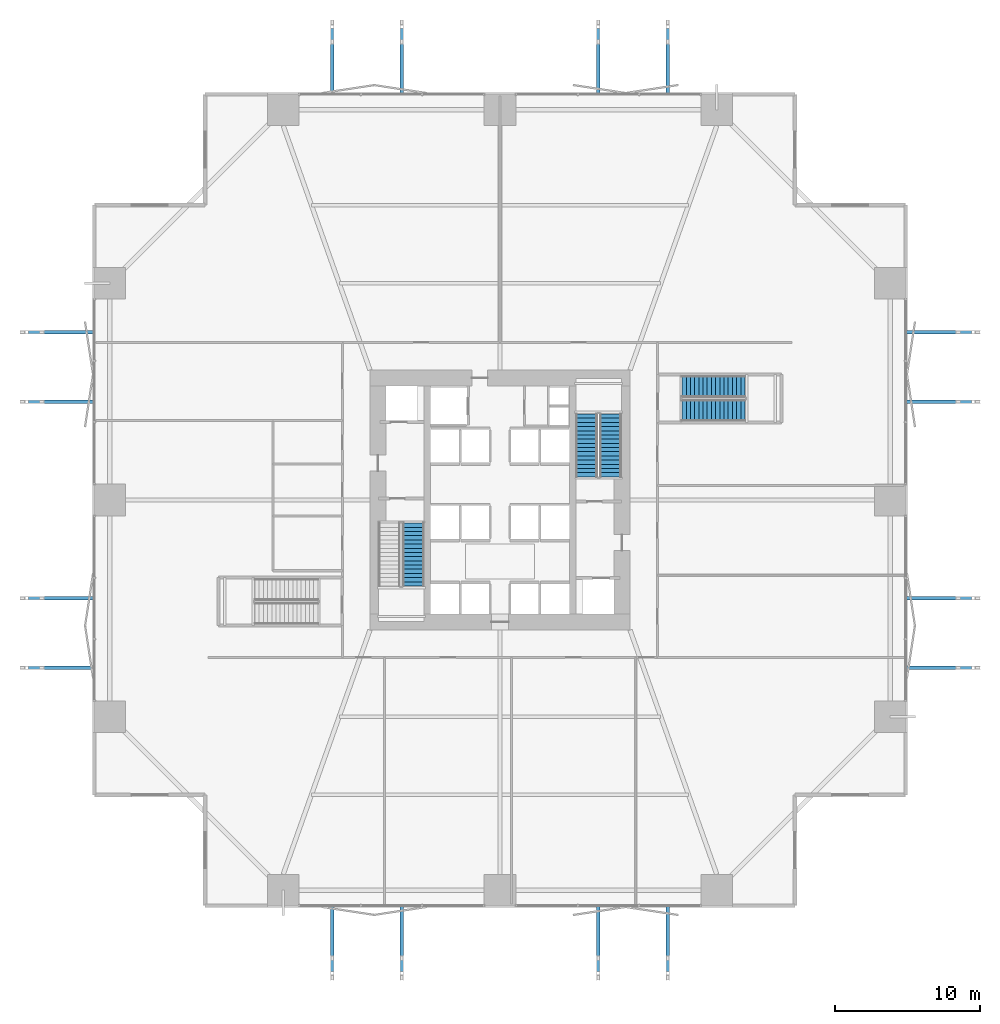
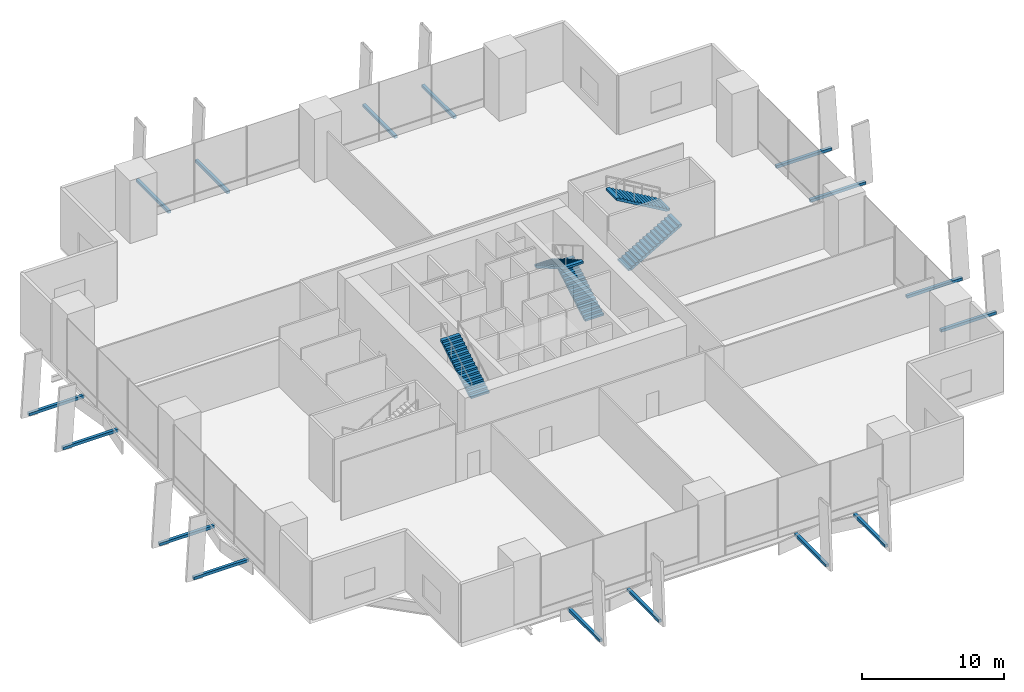
# One storey, part 22 of 24: 16 discrete accessories, 5 stair flights, 3 elements without a shape of their own.
"""IFC4 building model written with IfcOpenShell, lengths in metres."""

import ifcopenshell
import ifcopenshell.guid

model = None  # the IFC model being written
_history = None  # IfcOwnerHistory: only IFC2X3 demands one
_inside = {}  # id of a spatial element -> (the spatial element, [elements in it])
_under = {}  # id of a project, library or spatial element -> (it, [spatial elements below it])
_declared = {}  # id of a project -> (the project, [libraries it declares])
_typed = {}  # id of a type object -> (the type object, [elements of that type])
_made_of = {}  # id of a material, layer set ... -> (it, [elements and type objects made of it])


def new_model(schema):
    """Start an empty IFC model of exactly this schema.

    Asked for "IFC4X3", IfcOpenShell would pick the latest addendum, in which some entities
    have other attributes; the version numbers below select the first issue.
    IFC2X3 requires an IfcOwnerHistory on every rooted entity: one is made here for all.
    """
    global model, _history
    if schema == "IFC4X3":
        model = ifcopenshell.file(schema_version=(4, 3, 0, 0))
    else:
        model = ifcopenshell.file(schema=schema)
    _inside.clear()
    _under.clear()
    _declared.clear()
    _typed.clear()
    _made_of.clear()
    _history = None
    if model.schema == "IFC2X3":
        org = make("IfcOrganization", Name="unknown")
        user = make(
            "IfcPersonAndOrganization",
            ThePerson=make("IfcPerson", FamilyName="unknown"),
            TheOrganization=org,
        )
        app = make(
            "IfcApplication",
            ApplicationDeveloper=org,
            Version="unknown",
            ApplicationFullName="unknown",
            ApplicationIdentifier="unknown",
        )
        _history = make(
            "IfcOwnerHistory",
            OwningUser=user,
            OwningApplication=app,
            ChangeAction="ADDED",
            CreationDate=0,
        )
    return model


def make(cls, **values):
    """One entity of the class cls with the attributes given. An attribute that is None is left unset."""
    return model.create_entity(
        cls, **{name: value for name, value in values.items() if value is not None}
    )


def rooted(cls, **values):
    """An entity with a GlobalId (a new one), such as an element, a storey or a relation."""
    return make(cls, GlobalId=ifcopenshell.guid.new(), OwnerHistory=_history, **values)


def si_unit(unit_type, name, prefix=None):
    """IfcSIUnit, for example si_unit("LENGTHUNIT", "METRE", prefix="MILLI")."""
    return make("IfcSIUnit", UnitType=unit_type, Prefix=prefix, Name=name)


def assignment(units):
    """IfcUnitAssignment: the units of a project."""
    return None if units is None else make("IfcUnitAssignment", Units=units)


def point(xyz):
    """IfcCartesianPoint."""
    return None if xyz is None else make("IfcCartesianPoint", Coordinates=xyz)


def direction(xyz):
    """IfcDirection."""
    return None if xyz is None else make("IfcDirection", DirectionRatios=xyz)


def frame(location, z_axis=None, x_axis=None):
    """IfcAxis2Placement3D, a coordinate frame: its origin and axes. An axis left out is left unset."""
    return make(
        "IfcAxis2Placement3D",
        Location=point(location),
        Axis=direction(z_axis),
        RefDirection=direction(x_axis),
    )


def frame_2d(location, x_axis=None):
    """IfcAxis2Placement2D, a coordinate frame in the plane: its origin and x axis."""
    return make(
        "IfcAxis2Placement2D", Location=point(location), RefDirection=direction(x_axis)
    )


def origin():
    """The frame at (0, 0, 0) with its axes left unset."""
    return frame((0.0, 0.0, 0.0))


def origin_2d():
    """The frame at (0, 0) in the plane with its x axis left unset."""
    return frame_2d((0.0, 0.0))


def place(relative_to, where):
    """IfcLocalPlacement: puts the frame where relative to a parent placement (None: the world)."""
    return make(
        "IfcLocalPlacement", PlacementRelTo=relative_to, RelativePlacement=where
    )


def context(
    kind, dimensions, precision=None, world=None, true_north=None, identifier=None
):
    """IfcGeometricRepresentationContext, for example the 3D "Model" context."""
    return make(
        "IfcGeometricRepresentationContext",
        ContextIdentifier=identifier,
        ContextType=kind,
        CoordinateSpaceDimension=dimensions,
        Precision=precision,
        WorldCoordinateSystem=world,
        TrueNorth=true_north,
    )


def subcontext(parent, identifier, kind, view, scale=None):
    """IfcGeometricRepresentationSubContext, for example "Body" below "Model"."""
    return make(
        "IfcGeometricRepresentationSubContext",
        ContextIdentifier=identifier,
        ContextType=kind,
        ParentContext=parent,
        TargetScale=scale,
        TargetView=view,
    )


def project(units=None, contexts=None):
    """IfcProject with its units and contexts."""
    return rooted(
        "IfcProject",
        Name="project",
        RepresentationContexts=contexts,
        UnitsInContext=assignment(units),
    )


def spatial(cls, under=None, at=None, **own):
    """A site, building, storey or space (cls), placed at a placement, below another one or the project."""
    s = rooted(cls, ObjectPlacement=at, **own)
    if under is not None:
        _under.setdefault(under.id(), (under, []))[1].append(s)
    return s


def polyline(points):
    """IfcPolyline through the points."""
    return make("IfcPolyline", Points=[point(p) for p in points])


def profile(cls, at=None, kind="AREA", **sizes):
    """A parametric profile (cls). Its sizes go by their IFC names, for example OverallWidth=200.0."""
    return make(cls, ProfileType=kind, Position=at, **sizes)


def rectangle(**sizes):
    """IfcRectangleProfileDef."""
    return profile("IfcRectangleProfileDef", **sizes)


def outline(outer, holes=None, kind="AREA"):
    """IfcArbitraryClosedProfileDef: a profile drawn as a closed curve; with holes, ...WithVoids."""
    if holes is None:
        return make("IfcArbitraryClosedProfileDef", ProfileType=kind, OuterCurve=outer)
    return make(
        "IfcArbitraryProfileDefWithVoids",
        ProfileType=kind,
        OuterCurve=outer,
        InnerCurves=holes,
    )


def extrude(swept, where, along, depth):
    """IfcExtrudedAreaSolid: the profile swept, set in the frame where, extruded along a direction by depth."""
    return make(
        "IfcExtrudedAreaSolid",
        SweptArea=swept,
        Position=where,
        ExtrudedDirection=direction(along),
        Depth=depth,
    )


def shape(context_of_items, identifier, shape_type, items):
    """IfcShapeRepresentation: the items that make up one representation, for example the "Body"."""
    return make(
        "IfcShapeRepresentation",
        ContextOfItems=context_of_items,
        RepresentationIdentifier=identifier,
        RepresentationType=shape_type,
        Items=items,
    )


def material(Name=None, Category=None):
    """IfcMaterial."""
    return make("IfcMaterial", Name=Name, Category=Category)


def layer(
    of_material, thickness, ventilated=None, Name=None, Category=None, Priority=None
):
    """IfcMaterialLayer: one layer of a wall or slab, of a material (None: an air gap)."""
    return make(
        "IfcMaterialLayer",
        Material=of_material,
        LayerThickness=thickness,
        IsVentilated=ventilated,
        Name=Name,
        Category=Category,
        Priority=Priority,
    )


def layer_set(layers, Name=None):
    """IfcMaterialLayerSet."""
    return make("IfcMaterialLayerSet", MaterialLayers=layers, LayerSetName=Name)


def made_of(thing, what):
    """Note that an element or type object is made of a material, layer set ...; save() writes the relation."""
    if what is not None:
        _made_of.setdefault(what.id(), (what, []))[1].append(thing)
    return thing


def type_object(cls, material=None, **own):
    """A type object (cls), such as IfcWallType, which elements share."""
    return made_of(rooted(cls, **own), material)


def element(
    cls,
    number,
    at=None,
    inside=None,
    cuts=None,
    type_object=None,
    material=None,
    context=None,
    identifier="Body",
    shape_type=None,
    held_by="IfcProductDefinitionShape",
    body=None,
    shapes=None,
    **own,
):
    """One element of the class cls, such as IfcWall. Its Tag is "e" and its number.

    at: its placement. inside: the storey or other place that contains it. cuts: it is an
    opening in that element (IfcRelVoidsElement). A single representation is given by context,
    identifier, shape_type and body (its items); several are given by shapes. held_by: the class
    of the entity that holds the representations. save() writes the other relations.
    """
    e = rooted(cls, Tag="e%d" % number, ObjectPlacement=at, **own)
    if body is not None:
        shapes = [shape(context, identifier, shape_type, body)]
    if shapes is not None:
        e.Representation = make(held_by, Representations=shapes)
    if inside is not None:
        _inside.setdefault(inside.id(), (inside, []))[1].append(e)
    if cuts is not None:
        rooted(
            "IfcRelVoidsElement", RelatingBuildingElement=cuts, RelatedOpeningElement=e
        )
    if type_object is not None:
        _typed.setdefault(type_object.id(), (type_object, []))[1].append(e)
    return made_of(e, material)


def aggregate(whole, parts):
    """IfcRelAggregates: a whole, such as a stair, and the parts it consists of."""
    return rooted("IfcRelAggregates", RelatingObject=whole, RelatedObjects=parts)


def save(model, path):
    """Write the relations noted so far, then the file.

    IfcRelAggregates (storeys below a building ...), IfcRelContainedInSpatialStructure (elements
    in a storey), IfcRelDefinesByType, IfcRelAssociatesMaterial and IfcRelDeclares: one each for
    every whole, place, type object, material and project.
    """
    for whole, parts in _under.values():
        aggregate(whole, parts)
    for where, things in _inside.values():
        rooted(
            "IfcRelContainedInSpatialStructure",
            RelatedElements=things,
            RelatingStructure=where,
        )
    for kind, things in _typed.values():
        rooted("IfcRelDefinesByType", RelatedObjects=things, RelatingType=kind)
    for what, things in _made_of.values():
        rooted("IfcRelAssociatesMaterial", RelatedObjects=things, RelatingMaterial=what)
    for by, libraries in _declared.values():
        rooted("IfcRelDeclares", RelatingContext=by, RelatedDefinitions=libraries)
    model.write(path)


model = new_model("IFC4")

# Units and contexts
model_context = context("Model", 3, precision=1e-05, world=origin(), true_north=direction((0.0, 1.0)))
body_context = subcontext(model_context, "Body", "Model", "MODEL_VIEW")
ifc_project = project(units=[si_unit("LENGTHUNIT", "METRE"), si_unit("AREAUNIT", "SQUARE_METRE"), si_unit("VOLUMEUNIT", "CUBIC_METRE"), si_unit("PLANEANGLEUNIT", "RADIAN"), si_unit("MASSUNIT", "GRAM", prefix="KILO")], contexts=[model_context])

# Site, building, storey
site_placement = place(None, origin())
site = spatial("IfcSite", under=ifc_project, at=site_placement, CompositionType="ELEMENT")
building_placement = place(site_placement, origin())
building = spatial("IfcBuilding", under=site, at=building_placement, Name="Belovzor Exchange Tower", CompositionType="ELEMENT")
storey_placement = place(building_placement, frame((0.0, 0.0, 13.800048828125)))
storey = spatial("IfcBuildingStorey", under=building, at=storey_placement, Name="L03", CompositionType="ELEMENT", Elevation=13.800048828125)

# Stair, stair flights
ifc_material_1 = material(Name="Concrete C40/50", Category="concrete")
stair_type_1 = type_object("IfcStairType", Name="Reinforced Concrete Podium Escape Stair 1400", PredefinedType="HALF_TURN_STAIR", material=ifc_material_1)
stair_1_placement = place(storey_placement, origin())
stair_1 = element("IfcStair", 1, at=stair_1_placement, inside=storey, type_object=stair_type_1, Name="L03 ST-4", PredefinedType="HALF_TURN_STAIR")
ifc_material_2 = material(Name="Concrete C40/50", Category="concrete")
stair_flight_type_1 = type_object("IfcStairFlightType", Name="Reinforced Concrete Podium Stair Flight 1400", PredefinedType="STRAIGHT", material=ifc_material_2)
stair_flight_1_placement = place(storey_placement, frame((41.39990234375, 35.0, 0.0), z_axis=(0.0, 0.0, 1.0), x_axis=(1.0, 0.0, 0.0)))
stair_flight_1 = element("IfcStairFlight", 2, at=stair_flight_1_placement, type_object=stair_flight_type_1, Name="ST-4 flight 1", NumberOfRisers=16, NumberOfTreads=15, PredefinedType="STRAIGHT", RiserHeight=0.16875, TreadLength=0.29, context=body_context, shape_type="SweptSolid", body=[
    extrude(outline(polyline([(0.0, 0.0), (0.0, 0.168701171875), (0.2900390625, 0.168701171875), (0.2900390625, 0.33740234375), (0.580078125, 0.33740234375), (0.580078125, 0.50634765625), (0.8701171875, 0.50634765625), (0.8701171875, 0.675048828125), (1.159912109375, 0.675048828125), (1.159912109375, 0.84375), (1.449951171875, 0.84375), (1.449951171875, 1.012451171875), (1.739990234375, 1.012451171875), (1.739990234375, 1.18115234375), (2.030029296875, 1.18115234375), (2.030029296875, 1.35009765625), (2.320068359375, 1.35009765625), (2.320068359375, 1.518798828125), (2.610107421875, 1.518798828125), (2.610107421875, 1.6875), (2.89990234375, 1.6875), (2.89990234375, 1.856201171875), (3.18994140625, 1.856201171875), (3.18994140625, 2.02490234375), (3.47998046875, 2.02490234375), (3.47998046875, 2.19384765625), (3.77001953125, 2.19384765625), (3.77001953125, 2.362548828125), (4.06005859375, 2.362548828125), (4.06005859375, 2.53125), (4.35009765625, 2.53125), (4.35009765625, 2.699951171875), (4.35009765625, 2.35791015625), (0.298095703125, 0.0), (0.0, 0.0)])), frame((0.0, 0.75, 0.0), z_axis=(0.0, -1.0, 0.0), x_axis=(1.0, 0.0, 0.0)), (0.0, 0.0, 1.0), 1.5),
])
stair_flight_2_placement = place(storey_placement, frame((45.75, 36.64990234375, 2.699951171875), z_axis=(0.0, 0.0, 1.0), x_axis=(-1.0, 0.0, 0.0)))
stair_flight_2 = element("IfcStairFlight", 3, at=stair_flight_2_placement, type_object=stair_flight_type_1, Name="ST-4 flight 2", NumberOfRisers=16, NumberOfTreads=15, PredefinedType="STRAIGHT", RiserHeight=0.16875, TreadLength=0.29, context=body_context, shape_type="SweptSolid", body=[
    extrude(outline(polyline([(0.0, 0.0), (0.0, 0.168701171875), (0.2900390625, 0.168701171875), (0.2900390625, 0.33740234375), (0.580078125, 0.33740234375), (0.580078125, 0.50634765625), (0.8701171875, 0.50634765625), (0.8701171875, 0.675048828125), (1.159912109375, 0.675048828125), (1.159912109375, 0.84375), (1.449951171875, 0.84375), (1.449951171875, 1.012451171875), (1.739990234375, 1.012451171875), (1.739990234375, 1.18115234375), (2.030029296875, 1.18115234375), (2.030029296875, 1.35009765625), (2.320068359375, 1.35009765625), (2.320068359375, 1.518798828125), (2.610107421875, 1.518798828125), (2.610107421875, 1.6875), (2.89990234375, 1.6875), (2.89990234375, 1.856201171875), (3.18994140625, 1.856201171875), (3.18994140625, 2.02490234375), (3.47998046875, 2.02490234375), (3.47998046875, 2.19384765625), (3.77001953125, 2.19384765625), (3.77001953125, 2.362548828125), (4.06005859375, 2.362548828125), (4.06005859375, 2.53125), (4.35009765625, 2.53125), (4.35009765625, 2.699951171875), (4.35009765625, 2.35791015625), (0.298095703125, 0.0), (0.0, 0.0)])), frame((0.0, 0.75, 0.0), z_axis=(0.0, -1.0, 0.0), x_axis=(1.0, 0.0, 0.0)), (0.0, 0.0, 1.0), 1.5),
])
aggregate(stair_1, [stair_flight_1, stair_flight_2])

# Stair, stair flight
ifc_material_3 = material(Name="Concrete C40/50", Category="concrete")
stair_type_2 = type_object("IfcStairType", Name="Reinforced Concrete Dogleg Escape Stair 1350", PredefinedType="HALF_TURN_STAIR", material=ifc_material_3)
stair_2_placement = place(storey_placement, origin())
stair_2 = element("IfcStair", 4, at=stair_2_placement, inside=storey, type_object=stair_type_2, Name="L03 ST-1", PredefinedType="HALF_TURN_STAIR")
ifc_material_4 = material(Name="Concrete C40/50", Category="concrete")
stair_flight_type_2 = type_object("IfcStairFlightType", Name="Reinforced Concrete Stair Flight 1350", PredefinedType="STRAIGHT", material=ifc_material_4)
stair_flight_3_placement = place(storey_placement, frame((22.800048828125, 22.85009765625, 2.699951171875), z_axis=(0.0, 0.0, 1.0), x_axis=(0.0, 1.0, 0.0)))
stair_flight_3 = element("IfcStairFlight", 5, at=stair_flight_3_placement, type_object=stair_flight_type_2, Name="ST-1 flight 2", NumberOfRisers=16, NumberOfTreads=15, PredefinedType="STRAIGHT", RiserHeight=0.16875, TreadLength=0.29, context=body_context, shape_type="SweptSolid", body=[
    extrude(outline(polyline([(0.0, 0.0), (0.0, 0.168701171875), (0.2900390625, 0.168701171875), (0.2900390625, 0.33740234375), (0.580078125, 0.33740234375), (0.580078125, 0.50634765625), (0.8701171875, 0.50634765625), (0.8701171875, 0.675048828125), (1.159912109375, 0.675048828125), (1.159912109375, 0.84375), (1.449951171875, 0.84375), (1.449951171875, 1.012451171875), (1.739990234375, 1.012451171875), (1.739990234375, 1.18115234375), (2.030029296875, 1.18115234375), (2.030029296875, 1.35009765625), (2.320068359375, 1.35009765625), (2.320068359375, 1.518798828125), (2.610107421875, 1.518798828125), (2.610107421875, 1.6875), (2.89990234375, 1.6875), (2.89990234375, 1.856201171875), (3.18994140625, 1.856201171875), (3.18994140625, 2.02490234375), (3.47998046875, 2.02490234375), (3.47998046875, 2.19384765625), (3.77001953125, 2.19384765625), (3.77001953125, 2.362548828125), (4.06005859375, 2.362548828125), (4.06005859375, 2.53125), (4.35009765625, 2.53125), (4.35009765625, 2.699951171875), (4.35009765625, 2.35791015625), (0.298095703125, 0.0), (0.0, 0.0)])), frame((0.0, 0.75, 0.0), z_axis=(0.0, -1.0, 0.0), x_axis=(1.0, 0.0, 0.0)), (0.0, 0.0, 1.0), 1.5),
])
aggregate(stair_2, [stair_flight_3])

# Stair, stair flights
stair_3_placement = place(storey_placement, origin())
stair_3 = element("IfcStair", 6, at=stair_3_placement, inside=storey, type_object=stair_type_2, Name="L03 ST-2", PredefinedType="HALF_TURN_STAIR")
stair_flight_4_placement = place(storey_placement, frame((36.449951171875, 30.39990234375, 0.0), z_axis=(0.0, 0.0, 1.0), x_axis=(0.0, 1.0, 0.0)))
stair_flight_4 = element("IfcStairFlight", 7, at=stair_flight_4_placement, type_object=stair_flight_type_2, Name="ST-2 flight 1", NumberOfRisers=16, NumberOfTreads=15, PredefinedType="STRAIGHT", RiserHeight=0.16875, TreadLength=0.29, context=body_context, shape_type="SweptSolid", body=[
    extrude(outline(polyline([(0.0, 0.0), (0.0, 0.168701171875), (0.2900390625, 0.168701171875), (0.2900390625, 0.33740234375), (0.580078125, 0.33740234375), (0.580078125, 0.50634765625), (0.8701171875, 0.50634765625), (0.8701171875, 0.675048828125), (1.159912109375, 0.675048828125), (1.159912109375, 0.84375), (1.449951171875, 0.84375), (1.449951171875, 1.012451171875), (1.739990234375, 1.012451171875), (1.739990234375, 1.18115234375), (2.030029296875, 1.18115234375), (2.030029296875, 1.35009765625), (2.320068359375, 1.35009765625), (2.320068359375, 1.518798828125), (2.610107421875, 1.518798828125), (2.610107421875, 1.6875), (2.89990234375, 1.6875), (2.89990234375, 1.856201171875), (3.18994140625, 1.856201171875), (3.18994140625, 2.02490234375), (3.47998046875, 2.02490234375), (3.47998046875, 2.19384765625), (3.77001953125, 2.19384765625), (3.77001953125, 2.362548828125), (4.06005859375, 2.362548828125), (4.06005859375, 2.53125), (4.35009765625, 2.53125), (4.35009765625, 2.699951171875), (4.35009765625, 2.35791015625), (0.298095703125, 0.0), (0.0, 0.0)])), frame((0.0, 0.75, 0.0), z_axis=(0.0, -1.0, 0.0), x_axis=(1.0, 0.0, 0.0)), (0.0, 0.0, 1.0), 1.5),
])
stair_flight_5_placement = place(storey_placement, frame((34.800048828125, 34.75, 2.699951171875), z_axis=(0.0, 0.0, 1.0), x_axis=(0.0, -1.0, 0.0)))
stair_flight_5 = element("IfcStairFlight", 8, at=stair_flight_5_placement, type_object=stair_flight_type_2, Name="ST-2 flight 2", NumberOfRisers=16, NumberOfTreads=15, PredefinedType="STRAIGHT", RiserHeight=0.16875, TreadLength=0.29, context=body_context, shape_type="SweptSolid", body=[
    extrude(outline(polyline([(0.0, 0.0), (0.0, 0.168701171875), (0.2900390625, 0.168701171875), (0.2900390625, 0.33740234375), (0.580078125, 0.33740234375), (0.580078125, 0.50634765625), (0.8701171875, 0.50634765625), (0.8701171875, 0.675048828125), (1.159912109375, 0.675048828125), (1.159912109375, 0.84375), (1.449951171875, 0.84375), (1.449951171875, 1.012451171875), (1.739990234375, 1.012451171875), (1.739990234375, 1.18115234375), (2.030029296875, 1.18115234375), (2.030029296875, 1.35009765625), (2.320068359375, 1.35009765625), (2.320068359375, 1.518798828125), (2.610107421875, 1.518798828125), (2.610107421875, 1.6875), (2.89990234375, 1.6875), (2.89990234375, 1.856201171875), (3.18994140625, 1.856201171875), (3.18994140625, 2.02490234375), (3.47998046875, 2.02490234375), (3.47998046875, 2.19384765625), (3.77001953125, 2.19384765625), (3.77001953125, 2.362548828125), (4.06005859375, 2.362548828125), (4.06005859375, 2.53125), (4.35009765625, 2.53125), (4.35009765625, 2.699951171875), (4.35009765625, 2.35791015625), (0.298095703125, 0.0), (0.0, 0.0)])), frame((0.0, 0.75, 0.0), z_axis=(0.0, -1.0, 0.0), x_axis=(1.0, 0.0, 0.0)), (0.0, 0.0, 1.0), 1.5),
])
aggregate(stair_3, [stair_flight_4, stair_flight_5])

# Discrete accessories
ifc_material_5 = material(Name="Stainless Steel Grade 316", Category="steel")
ifc_layer = layer(ifc_material_5, 0.179931640625)
ifc_layer_set = layer_set([ifc_layer], Name="Stainless Steel Grade 316")
discrete_accessory_type = type_object("IfcDiscreteAccessoryType", Name="Stainless Steel Facade Outrigger Fixing Bracket", PredefinedType="BRACKET", material=ifc_layer_set)
for number, where, z_axis, x_axis, name in (
    (9, (17.199951171875, -1.570068359375, -0.294921875), (0.0, 0.0, 1.0), (0.0, 1.0, 0.0), "BRK-FIN1 Sweeping Fin Outrigger Bracket L03 S1"),
    (10, (17.199951171875, 59.169921875, -0.294921875), (0.0, 0.0, 1.0), (0.0, 1.0, 0.0), "BRK-FIN1 Sweeping Fin Outrigger Bracket L03 N1"),
    (11, (-1.570068359375, 17.199951171875, -0.294921875), (0.0, 0.0, 1.0), (1.0, 0.0, 0.0), "BRK-FIN1 Sweeping Fin Outrigger Bracket L03 W1"),
    (12, (59.169921875, 17.199951171875, -0.294921875), (0.0, 0.0, 1.0), (1.0, 0.0, 0.0), "BRK-FIN1 Sweeping Fin Outrigger Bracket L03 E1"),
    (13, (22.0, -1.570068359375, -0.294921875), (0.0, 0.0, 1.0), (0.0, 1.0, 0.0), "BRK-FIN1 Sweeping Fin Outrigger Bracket L03 S2"),
    (14, (22.0, 59.169921875, -0.294921875), (0.0, 0.0, 1.0), (0.0, 1.0, 0.0), "BRK-FIN1 Sweeping Fin Outrigger Bracket L03 N2"),
    (15, (-1.570068359375, 22.0, -0.294921875), (0.0, 0.0, 1.0), (1.0, 0.0, 0.0), "BRK-FIN1 Sweeping Fin Outrigger Bracket L03 W2"),
    (16, (59.169921875, 22.0, -0.294921875), (0.0, 0.0, 1.0), (1.0, 0.0, 0.0), "BRK-FIN1 Sweeping Fin Outrigger Bracket L03 E2"),
    (17, (35.60009765625, -1.570068359375, -0.294921875), (0.0, 0.0, 1.0), (0.0, 1.0, 0.0), "BRK-FIN1 Sweeping Fin Outrigger Bracket L03 S3"),
    (18, (35.60009765625, 59.169921875, -0.294921875), (0.0, 0.0, 1.0), (0.0, 1.0, 0.0), "BRK-FIN1 Sweeping Fin Outrigger Bracket L03 N3"),
    (19, (-1.570068359375, 35.60009765625, -0.294921875), (0.0, 0.0, 1.0), (1.0, 0.0, 0.0), "BRK-FIN1 Sweeping Fin Outrigger Bracket L03 W3"),
    (20, (59.169921875, 35.60009765625, -0.294921875), (0.0, 0.0, 1.0), (1.0, 0.0, 0.0), "BRK-FIN1 Sweeping Fin Outrigger Bracket L03 E3"),
    (21, (40.39990234375, -1.570068359375, -0.294921875), (0.0, 0.0, 1.0), (0.0, 1.0, 0.0), "BRK-FIN1 Sweeping Fin Outrigger Bracket L03 S4"),
    (22, (40.39990234375, 59.169921875, -0.294921875), (0.0, 0.0, 1.0), (0.0, 1.0, 0.0), "BRK-FIN1 Sweeping Fin Outrigger Bracket L03 N4"),
    (23, (-1.570068359375, 40.39990234375, -0.294921875), (0.0, 0.0, 1.0), (1.0, 0.0, 0.0), "BRK-FIN1 Sweeping Fin Outrigger Bracket L03 W4"),
    (24, (59.169921875, 40.39990234375, -0.294921875), (0.0, 0.0, 1.0), (1.0, 0.0, 0.0), "BRK-FIN1 Sweeping Fin Outrigger Bracket L03 E4"),
):
    element("IfcDiscreteAccessory", number, at=place(storey_placement, frame(where, z_axis=z_axis, x_axis=x_axis)), inside=storey, type_object=discrete_accessory_type, Name=name, PredefinedType="BRACKET", context=body_context, shape_type="SweptSolid", body=[
        extrude(rectangle(XDim=4.5, YDim=0.239990234375, at=origin_2d()), origin(), (0.0, 0.0, 1.0), 0.239990234375),
    ])

save(model, "model.ifc")
